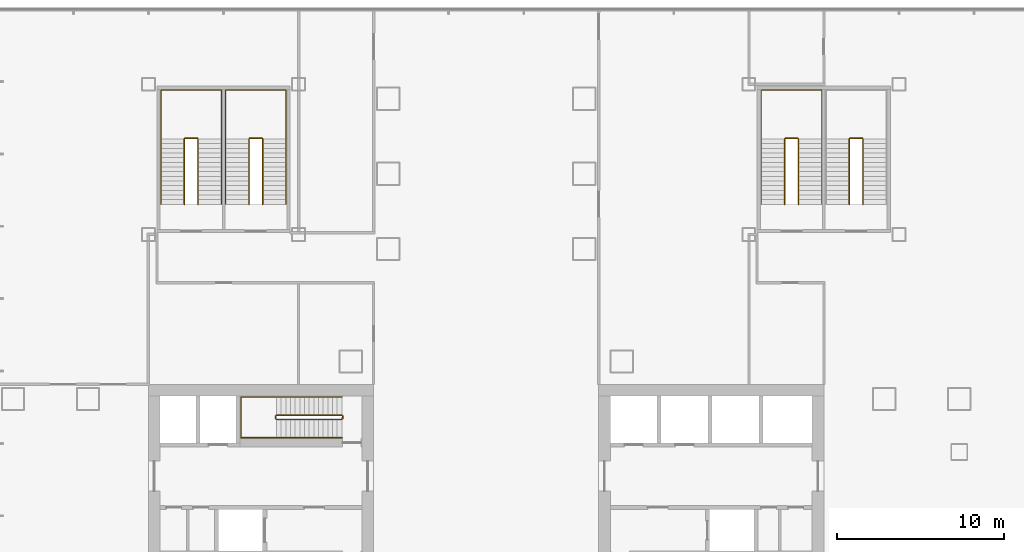
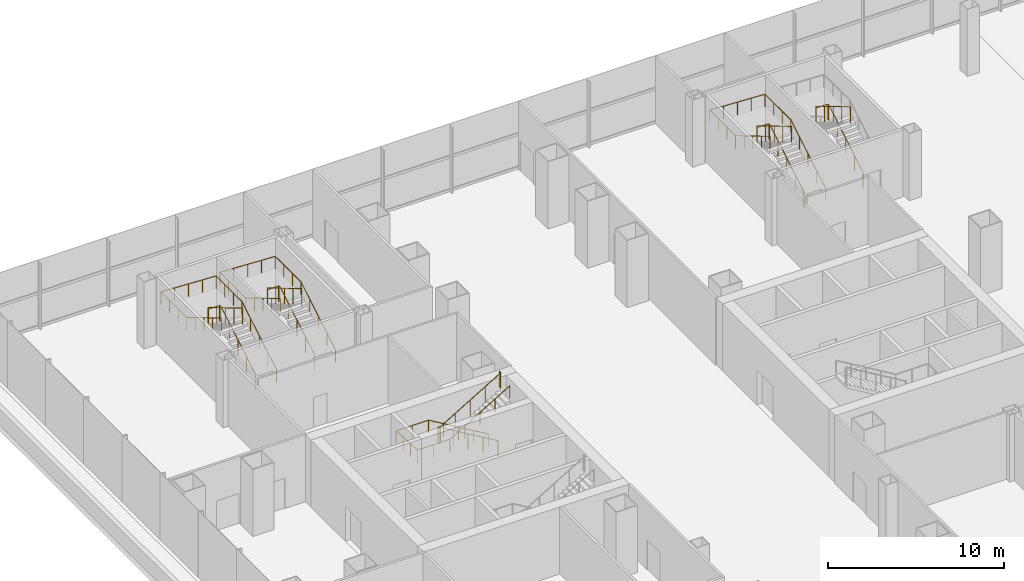
# One storey, part 27 of 30: 9 railings.
"""IFC4 building model written with IfcOpenShell, lengths in metres."""

from ifc_helpers import new_model, si_unit, direction, frame, origin, origin_2d, place, context, subcontext, project, spatial, circle, extrude, material, type_object, element, save


model = new_model("IFC4")

# Units and contexts
model_context = context("Model", 3, precision=1e-05, world=origin(), true_north=direction((0.0, 1.0)))
body_context = subcontext(model_context, "Body", "Model", "MODEL_VIEW")
ifc_project = project(units=[si_unit("LENGTHUNIT", "METRE"), si_unit("AREAUNIT", "SQUARE_METRE"), si_unit("VOLUMEUNIT", "CUBIC_METRE"), si_unit("PLANEANGLEUNIT", "RADIAN"), si_unit("MASSUNIT", "GRAM", prefix="KILO")], contexts=[model_context])

# Site, building, storey
site_placement = place(None, origin())
site = spatial("IfcSite", under=ifc_project, at=site_placement, CompositionType="ELEMENT")
building_placement = place(site_placement, origin())
building = spatial("IfcBuilding", under=site, at=building_placement, Name="Shamsa Quay Exchange Towers", CompositionType="ELEMENT")
storey_placement = place(building_placement, frame((0.0, 0.0, 23.5)))
storey = spatial("IfcBuildingStorey", under=building, at=storey_placement, Name="L04", CompositionType="ELEMENT", Elevation=23.5)

# Railings
ifc_material = material(Name="Stainless steel", Category="steel")
railing_type_1 = type_object("IfcRailingType", Name="STAIR GUARD 1100", PredefinedType="GUARDRAIL", material=ifc_material)
railing_1_placement = place(storey_placement, frame((-42.39990234375, 4.89990234375, 0.166748046875)))
element("IfcRailing", 1, at=railing_1_placement, inside=storey, type_object=railing_type_1, Name="L04 ST3 stair guard 1", PredefinedType="GUARDRAIL", context=body_context, shape_type="SweptSolid", body=[
    extrude(circle(Radius=0.02392578125, at=origin_2d()), frame((0.0, 0.0, 1.076171875), z_axis=(-0.859310244771, 0.0, 0.511454693235), x_axis=(0.0, -1.0, 0.0)), (0.0, 0.0, 1.0), 4.56201171875),
    extrude(circle(Radius=0.02392578125, at=origin_2d()), frame((-3.920166015625, 0.0, 3.4091796875), z_axis=(-0.708833529934, -0.705375805398, 0.0), x_axis=(0.705375805398, -0.708833529934, 0.0)), (0.0, 0.0, 1.0), 0.070556640625),
    extrude(circle(Radius=0.02392578125, at=origin_2d()), frame((-3.97021484375, -0.0498046875, 3.4091796875), z_axis=(0.0, -1.0, 0.0), x_axis=(1.0, 0.0, 0.0)), (0.0, 0.0, 1.0), 0.150146484375),
    extrude(circle(Radius=0.02392578125, at=origin_2d()), frame((-3.97021484375, -0.199951171875, 3.4091796875), z_axis=(0.27628659633, -0.27628659633, 0.920506074601), x_axis=(0.707106781187, 0.707106781187, 0.0)), (0.0, 0.0, 1.0), 0.18115234375),
    extrude(circle(Radius=0.02392578125, at=origin_2d()), frame((-3.920166015625, -0.25, 3.576171875), z_axis=(0.859310244771, 0.0, 0.511454693235), x_axis=(0.0, 1.0, 0.0)), (0.0, 0.0, 1.0), 4.56201171875),
    extrude(circle(Radius=0.02392578125, at=origin_2d()), frame((0.0, -0.25, 5.9091796875), z_axis=(0.24142163986, 0.970420317083, 0.0), x_axis=(-0.970420317083, 0.24142163986, 0.0)), (0.0, 0.0, 1.0), 0.206298828125),
    extrude(circle(Radius=0.02392578125, at=origin_2d()), frame((0.0498046875, -0.0498046875, 5.9091796875), z_axis=(0.0, -1.0, 0.0), x_axis=(1.0, 0.0, 0.0)), (0.0, 0.0, 1.0), 0.150146484375),
    extrude(circle(Radius=0.02099609375, at=origin_2d()), origin(), (0.0, 0.0, 1.0), 1.052001953125),
    extrude(circle(Radius=0.02099609375, at=origin_2d()), frame((-0.97998046875, 0.0, 0.583251953125)), (0.0, 0.0, 1.0), 1.052001953125),
    extrude(circle(Radius=0.02099609375, at=origin_2d()), frame((-1.9599609375, 0.0, 1.16650390625)), (0.0, 0.0, 1.0), 1.052001953125),
    extrude(circle(Radius=0.02099609375, at=origin_2d()), frame((-2.940185546875, 0.0, 1.75)), (0.0, 0.0, 1.0), 1.052001953125),
    extrude(circle(Radius=0.02099609375, at=origin_2d()), frame((-3.920166015625, 0.0, 2.333251953125)), (0.0, 0.0, 1.0), 1.052001953125),
    extrude(circle(Radius=0.02099609375, at=origin_2d()), frame((-3.97021484375, -0.0498046875, 2.333251953125)), (0.0, 0.0, 1.0), 1.052001953125),
    extrude(circle(Radius=0.02099609375, at=origin_2d()), frame((-3.97021484375, -0.199951171875, 2.333251953125)), (0.0, 0.0, 1.0), 1.052001953125),
    extrude(circle(Radius=0.02099609375, at=origin_2d()), frame((-3.920166015625, -0.25, 2.5)), (0.0, 0.0, 1.0), 1.052001953125),
    extrude(circle(Radius=0.02099609375, at=origin_2d()), frame((-2.940185546875, -0.25, 3.083251953125)), (0.0, 0.0, 1.0), 1.052001953125),
    extrude(circle(Radius=0.02099609375, at=origin_2d()), frame((-1.9599609375, -0.25, 3.66650390625)), (0.0, 0.0, 1.0), 1.052001953125),
    extrude(circle(Radius=0.02099609375, at=origin_2d()), frame((-0.97998046875, -0.25, 4.25)), (0.0, 0.0, 1.0), 1.052001953125),
    extrude(circle(Radius=0.02099609375, at=origin_2d()), frame((0.0, -0.25, 4.833251953125)), (0.0, 0.0, 1.0), 1.052001953125),
    extrude(circle(Radius=0.02099609375, at=origin_2d()), frame((0.0498046875, -0.0498046875, 4.833251953125)), (0.0, 0.0, 1.0), 1.052001953125),
    extrude(circle(Radius=0.02099609375, at=origin_2d()), frame((0.0498046875, -0.199951171875, 4.833251953125)), (0.0, 0.0, 1.0), 1.052001953125),
])
railing_2_placement = place(storey_placement, frame((-51.02490234375, 17.550048828125, 0.166748046875)))
element("IfcRailing", 2, at=railing_2_placement, inside=storey, type_object=railing_type_1, Name="L04 PS1A stair guard 1", PredefinedType="GUARDRAIL", context=body_context, shape_type="SweptSolid", body=[
    extrude(circle(Radius=0.02392578125, at=origin_2d()), frame((0.0, 0.0, 1.076171875), z_axis=(0.0, 0.859296244711, 0.511478214419), x_axis=(-1.0, 0.0, 0.0)), (0.0, 0.0, 1.0), 4.561767578125),
    extrude(circle(Radius=0.02392578125, at=origin_2d()), frame((0.0, 3.919921875, 3.4091796875), z_axis=(-0.707106781187, 0.707106781187, 0.0), x_axis=(-0.707106781187, -0.707106781187, 0.0)), (0.0, 0.0, 1.0), 0.07080078125),
    extrude(circle(Radius=0.02392578125, at=origin_2d()), frame((-0.050048828125, 3.969970703125, 3.4091796875), z_axis=(-1.0, 0.0, 0.0), x_axis=(0.0, -1.0, 0.0)), (0.0, 0.0, 1.0), 0.72509765625),
    extrude(circle(Radius=0.02392578125, at=origin_2d()), frame((-0.775146484375, 3.969970703125, 3.4091796875), z_axis=(-0.27628659633, -0.27628659633, 0.920506074601), x_axis=(0.707106781187, -0.707106781187, 0.0)), (0.0, 0.0, 1.0), 0.18115234375),
    extrude(circle(Radius=0.02392578125, at=origin_2d()), frame((-0.8251953125, 3.919921875, 3.576171875), z_axis=(0.0, -0.859296244711, 0.511478214419), x_axis=(1.0, 0.0, 0.0)), (0.0, 0.0, 1.0), 4.561767578125),
    extrude(circle(Radius=0.02099609375, at=origin_2d()), origin(), (0.0, 0.0, 1.0), 1.052001953125),
    extrude(circle(Radius=0.02099609375, at=origin_2d()), frame((0.0, 0.97998046875, 0.583251953125)), (0.0, 0.0, 1.0), 1.052001953125),
    extrude(circle(Radius=0.02099609375, at=origin_2d()), frame((0.0, 1.9599609375, 1.16650390625)), (0.0, 0.0, 1.0), 1.052001953125),
    extrude(circle(Radius=0.02099609375, at=origin_2d()), frame((0.0, 2.93994140625, 1.75)), (0.0, 0.0, 1.0), 1.052001953125),
    extrude(circle(Radius=0.02099609375, at=origin_2d()), frame((0.0, 3.919921875, 2.333251953125)), (0.0, 0.0, 1.0), 1.052001953125),
    extrude(circle(Radius=0.02099609375, at=origin_2d()), frame((-0.050048828125, 3.969970703125, 2.333251953125)), (0.0, 0.0, 1.0), 1.052001953125),
    extrude(circle(Radius=0.02099609375, at=origin_2d()), frame((-0.775146484375, 3.969970703125, 2.333251953125)), (0.0, 0.0, 1.0), 1.052001953125),
    extrude(circle(Radius=0.02099609375, at=origin_2d()), frame((-0.8251953125, 3.919921875, 2.5)), (0.0, 0.0, 1.0), 1.052001953125),
    extrude(circle(Radius=0.02099609375, at=origin_2d()), frame((-0.8251953125, 2.93994140625, 3.083251953125)), (0.0, 0.0, 1.0), 1.052001953125),
    extrude(circle(Radius=0.02099609375, at=origin_2d()), frame((-0.8251953125, 1.9599609375, 3.66650390625)), (0.0, 0.0, 1.0), 1.052001953125),
    extrude(circle(Radius=0.02099609375, at=origin_2d()), frame((-0.8251953125, 0.97998046875, 4.25)), (0.0, 0.0, 1.0), 1.052001953125),
    extrude(circle(Radius=0.02099609375, at=origin_2d()), frame((-0.8251953125, 0.0, 4.833251953125)), (0.0, 0.0, 1.0), 1.052001953125),
])
railing_3_placement = place(storey_placement, frame((-47.14990234375, 17.550048828125, 0.166748046875)))
element("IfcRailing", 3, at=railing_3_placement, inside=storey, type_object=railing_type_1, Name="L04 PS1B stair guard 1", PredefinedType="GUARDRAIL", context=body_context, shape_type="SweptSolid", body=[
    extrude(circle(Radius=0.02392578125, at=origin_2d()), frame((0.0, 0.0, 1.076171875), z_axis=(0.0, 0.859296244711, 0.511478214419), x_axis=(-1.0, 0.0, 0.0)), (0.0, 0.0, 1.0), 4.561767578125),
    extrude(circle(Radius=0.02392578125, at=origin_2d()), frame((0.0, 3.919921875, 3.4091796875), z_axis=(-0.707106781187, 0.707106781187, 0.0), x_axis=(-0.707106781187, -0.707106781187, 0.0)), (0.0, 0.0, 1.0), 0.07080078125),
    extrude(circle(Radius=0.02392578125, at=origin_2d()), frame((-0.050048828125, 3.969970703125, 3.4091796875), z_axis=(-1.0, 0.0, 0.0), x_axis=(0.0, -1.0, 0.0)), (0.0, 0.0, 1.0), 0.72509765625),
    extrude(circle(Radius=0.02392578125, at=origin_2d()), frame((-0.775146484375, 3.969970703125, 3.4091796875), z_axis=(-0.27628659633, -0.27628659633, 0.920506074601), x_axis=(0.707106781187, -0.707106781187, 0.0)), (0.0, 0.0, 1.0), 0.18115234375),
    extrude(circle(Radius=0.02392578125, at=origin_2d()), frame((-0.8251953125, 3.919921875, 3.576171875), z_axis=(0.0, -0.859296244711, 0.511478214419), x_axis=(1.0, 0.0, 0.0)), (0.0, 0.0, 1.0), 4.561767578125),
    extrude(circle(Radius=0.02099609375, at=origin_2d()), origin(), (0.0, 0.0, 1.0), 1.052001953125),
    extrude(circle(Radius=0.02099609375, at=origin_2d()), frame((0.0, 0.97998046875, 0.583251953125)), (0.0, 0.0, 1.0), 1.052001953125),
    extrude(circle(Radius=0.02099609375, at=origin_2d()), frame((0.0, 1.9599609375, 1.16650390625)), (0.0, 0.0, 1.0), 1.052001953125),
    extrude(circle(Radius=0.02099609375, at=origin_2d()), frame((0.0, 2.93994140625, 1.75)), (0.0, 0.0, 1.0), 1.052001953125),
    extrude(circle(Radius=0.02099609375, at=origin_2d()), frame((0.0, 3.919921875, 2.333251953125)), (0.0, 0.0, 1.0), 1.052001953125),
    extrude(circle(Radius=0.02099609375, at=origin_2d()), frame((-0.050048828125, 3.969970703125, 2.333251953125)), (0.0, 0.0, 1.0), 1.052001953125),
    extrude(circle(Radius=0.02099609375, at=origin_2d()), frame((-0.775146484375, 3.969970703125, 2.333251953125)), (0.0, 0.0, 1.0), 1.052001953125),
    extrude(circle(Radius=0.02099609375, at=origin_2d()), frame((-0.8251953125, 3.919921875, 2.5)), (0.0, 0.0, 1.0), 1.052001953125),
    extrude(circle(Radius=0.02099609375, at=origin_2d()), frame((-0.8251953125, 2.93994140625, 3.083251953125)), (0.0, 0.0, 1.0), 1.052001953125),
    extrude(circle(Radius=0.02099609375, at=origin_2d()), frame((-0.8251953125, 1.9599609375, 3.66650390625)), (0.0, 0.0, 1.0), 1.052001953125),
    extrude(circle(Radius=0.02099609375, at=origin_2d()), frame((-0.8251953125, 0.97998046875, 4.25)), (0.0, 0.0, 1.0), 1.052001953125),
    extrude(circle(Radius=0.02099609375, at=origin_2d()), frame((-0.8251953125, 0.0, 4.833251953125)), (0.0, 0.0, 1.0), 1.052001953125),
])
railing_4_placement = place(storey_placement, frame((-15.02490234375, 17.550048828125, 0.166748046875)))
element("IfcRailing", 4, at=railing_4_placement, inside=storey, type_object=railing_type_1, Name="L04 PS2A stair guard 1", PredefinedType="GUARDRAIL", context=body_context, shape_type="SweptSolid", body=[
    extrude(circle(Radius=0.02392578125, at=origin_2d()), frame((0.0, 0.0, 1.076171875), z_axis=(0.0, 0.859296244711, 0.511478214419), x_axis=(-1.0, 0.0, 0.0)), (0.0, 0.0, 1.0), 4.561767578125),
    extrude(circle(Radius=0.02392578125, at=origin_2d()), frame((0.0, 3.919921875, 3.4091796875), z_axis=(-0.707106781187, 0.707106781187, 0.0), x_axis=(-0.707106781187, -0.707106781187, 0.0)), (0.0, 0.0, 1.0), 0.07080078125),
    extrude(circle(Radius=0.02392578125, at=origin_2d()), frame((-0.050048828125, 3.969970703125, 3.4091796875), z_axis=(-1.0, 0.0, 0.0), x_axis=(0.0, -1.0, 0.0)), (0.0, 0.0, 1.0), 0.72509765625),
    extrude(circle(Radius=0.02392578125, at=origin_2d()), frame((-0.775146484375, 3.969970703125, 3.4091796875), z_axis=(-0.27628659633, -0.27628659633, 0.920506074601), x_axis=(0.707106781187, -0.707106781187, 0.0)), (0.0, 0.0, 1.0), 0.18115234375),
    extrude(circle(Radius=0.02392578125, at=origin_2d()), frame((-0.8251953125, 3.919921875, 3.576171875), z_axis=(0.0, -0.859296244711, 0.511478214419), x_axis=(1.0, 0.0, 0.0)), (0.0, 0.0, 1.0), 4.561767578125),
    extrude(circle(Radius=0.02099609375, at=origin_2d()), origin(), (0.0, 0.0, 1.0), 1.052001953125),
    extrude(circle(Radius=0.02099609375, at=origin_2d()), frame((0.0, 0.97998046875, 0.583251953125)), (0.0, 0.0, 1.0), 1.052001953125),
    extrude(circle(Radius=0.02099609375, at=origin_2d()), frame((0.0, 1.9599609375, 1.16650390625)), (0.0, 0.0, 1.0), 1.052001953125),
    extrude(circle(Radius=0.02099609375, at=origin_2d()), frame((0.0, 2.93994140625, 1.75)), (0.0, 0.0, 1.0), 1.052001953125),
    extrude(circle(Radius=0.02099609375, at=origin_2d()), frame((0.0, 3.919921875, 2.333251953125)), (0.0, 0.0, 1.0), 1.052001953125),
    extrude(circle(Radius=0.02099609375, at=origin_2d()), frame((-0.050048828125, 3.969970703125, 2.333251953125)), (0.0, 0.0, 1.0), 1.052001953125),
    extrude(circle(Radius=0.02099609375, at=origin_2d()), frame((-0.775146484375, 3.969970703125, 2.333251953125)), (0.0, 0.0, 1.0), 1.052001953125),
    extrude(circle(Radius=0.02099609375, at=origin_2d()), frame((-0.8251953125, 3.919921875, 2.5)), (0.0, 0.0, 1.0), 1.052001953125),
    extrude(circle(Radius=0.02099609375, at=origin_2d()), frame((-0.8251953125, 2.93994140625, 3.083251953125)), (0.0, 0.0, 1.0), 1.052001953125),
    extrude(circle(Radius=0.02099609375, at=origin_2d()), frame((-0.8251953125, 1.9599609375, 3.66650390625)), (0.0, 0.0, 1.0), 1.052001953125),
    extrude(circle(Radius=0.02099609375, at=origin_2d()), frame((-0.8251953125, 0.97998046875, 4.25)), (0.0, 0.0, 1.0), 1.052001953125),
    extrude(circle(Radius=0.02099609375, at=origin_2d()), frame((-0.8251953125, 0.0, 4.833251953125)), (0.0, 0.0, 1.0), 1.052001953125),
])
railing_5_placement = place(storey_placement, frame((-11.14990234375, 17.550048828125, 0.166748046875)))
element("IfcRailing", 5, at=railing_5_placement, inside=storey, type_object=railing_type_1, Name="L04 PS2B stair guard 1", PredefinedType="GUARDRAIL", context=body_context, shape_type="SweptSolid", body=[
    extrude(circle(Radius=0.02392578125, at=origin_2d()), frame((0.0, 0.0, 1.076171875), z_axis=(0.0, 0.859296244711, 0.511478214419), x_axis=(-1.0, 0.0, 0.0)), (0.0, 0.0, 1.0), 4.561767578125),
    extrude(circle(Radius=0.02392578125, at=origin_2d()), frame((0.0, 3.919921875, 3.4091796875), z_axis=(-0.707106781187, 0.707106781187, 0.0), x_axis=(-0.707106781187, -0.707106781187, 0.0)), (0.0, 0.0, 1.0), 0.07080078125),
    extrude(circle(Radius=0.02392578125, at=origin_2d()), frame((-0.050048828125, 3.969970703125, 3.4091796875), z_axis=(-1.0, 0.0, 0.0), x_axis=(0.0, -1.0, 0.0)), (0.0, 0.0, 1.0), 0.72509765625),
    extrude(circle(Radius=0.02392578125, at=origin_2d()), frame((-0.775146484375, 3.969970703125, 3.4091796875), z_axis=(-0.27628659633, -0.27628659633, 0.920506074601), x_axis=(0.707106781187, -0.707106781187, 0.0)), (0.0, 0.0, 1.0), 0.18115234375),
    extrude(circle(Radius=0.02392578125, at=origin_2d()), frame((-0.8251953125, 3.919921875, 3.576171875), z_axis=(0.0, -0.859296244711, 0.511478214419), x_axis=(1.0, 0.0, 0.0)), (0.0, 0.0, 1.0), 4.561767578125),
    extrude(circle(Radius=0.02099609375, at=origin_2d()), origin(), (0.0, 0.0, 1.0), 1.052001953125),
    extrude(circle(Radius=0.02099609375, at=origin_2d()), frame((0.0, 0.97998046875, 0.583251953125)), (0.0, 0.0, 1.0), 1.052001953125),
    extrude(circle(Radius=0.02099609375, at=origin_2d()), frame((0.0, 1.9599609375, 1.16650390625)), (0.0, 0.0, 1.0), 1.052001953125),
    extrude(circle(Radius=0.02099609375, at=origin_2d()), frame((0.0, 2.93994140625, 1.75)), (0.0, 0.0, 1.0), 1.052001953125),
    extrude(circle(Radius=0.02099609375, at=origin_2d()), frame((0.0, 3.919921875, 2.333251953125)), (0.0, 0.0, 1.0), 1.052001953125),
    extrude(circle(Radius=0.02099609375, at=origin_2d()), frame((-0.050048828125, 3.969970703125, 2.333251953125)), (0.0, 0.0, 1.0), 1.052001953125),
    extrude(circle(Radius=0.02099609375, at=origin_2d()), frame((-0.775146484375, 3.969970703125, 2.333251953125)), (0.0, 0.0, 1.0), 1.052001953125),
    extrude(circle(Radius=0.02099609375, at=origin_2d()), frame((-0.8251953125, 3.919921875, 2.5)), (0.0, 0.0, 1.0), 1.052001953125),
    extrude(circle(Radius=0.02099609375, at=origin_2d()), frame((-0.8251953125, 2.93994140625, 3.083251953125)), (0.0, 0.0, 1.0), 1.052001953125),
    extrude(circle(Radius=0.02099609375, at=origin_2d()), frame((-0.8251953125, 1.9599609375, 3.66650390625)), (0.0, 0.0, 1.0), 1.052001953125),
    extrude(circle(Radius=0.02099609375, at=origin_2d()), frame((-0.8251953125, 0.97998046875, 4.25)), (0.0, 0.0, 1.0), 1.052001953125),
    extrude(circle(Radius=0.02099609375, at=origin_2d()), frame((-0.8251953125, 0.0, 4.833251953125)), (0.0, 0.0, 1.0), 1.052001953125),
])
railing_type_2 = type_object("IfcRailingType", Name="STAIR HANDRAIL 900", PredefinedType="HANDRAIL", material=ifc_material)
railing_6_placement = place(storey_placement, frame((-42.39990234375, 6.0, 0.166748046875)))
element("IfcRailing", 6, at=railing_6_placement, inside=storey, type_object=railing_type_2, Name="L04 ST3 stair handrail 1", PredefinedType="HANDRAIL", context=body_context, shape_type="SweptSolid", body=[
    extrude(circle(Radius=0.02392578125, at=origin_2d()), frame((0.0, 0.0, 0.8759765625), z_axis=(-0.859310244771, 0.0, 0.511454693235), x_axis=(0.0, -1.0, 0.0)), (0.0, 0.0, 1.0), 4.56201171875),
    extrude(circle(Radius=0.02392578125, at=origin_2d()), frame((-3.920166015625, 0.0, 3.208984375), z_axis=(-1.0, 0.0, 0.0), x_axis=(0.0, -1.0, 0.0)), (0.0, 0.0, 1.0), 2.1298828125),
    extrude(circle(Radius=0.02392578125, at=origin_2d()), frame((-6.050048828125, 0.0, 3.208984375), z_axis=(0.0, -0.997691813052, 0.067904684436), x_axis=(1.0, 0.0, 0.0)), (0.0, 0.0, 1.0), 2.45556640625),
    extrude(circle(Radius=0.02392578125, at=origin_2d()), frame((-6.050048828125, -2.449951171875, 3.3759765625), z_axis=(1.0, 0.0, 0.0), x_axis=(0.0, 1.0, 0.0)), (0.0, 0.0, 1.0), 2.1298828125),
    extrude(circle(Radius=0.02392578125, at=origin_2d()), frame((-3.920166015625, -2.449951171875, 3.3759765625), z_axis=(0.859310244771, 0.0, 0.511454693235), x_axis=(0.0, 1.0, 0.0)), (0.0, 0.0, 1.0), 4.56201171875),
    extrude(circle(Radius=0.02099609375, at=origin_2d()), origin(), (0.0, 0.0, 1.0), 0.851806640625),
    extrude(circle(Radius=0.02099609375, at=origin_2d()), frame((-0.97998046875, 0.0, 0.583251953125)), (0.0, 0.0, 1.0), 0.851806640625),
    extrude(circle(Radius=0.02099609375, at=origin_2d()), frame((-1.9599609375, 0.0, 1.16650390625)), (0.0, 0.0, 1.0), 0.851806640625),
    extrude(circle(Radius=0.02099609375, at=origin_2d()), frame((-2.940185546875, 0.0, 1.75)), (0.0, 0.0, 1.0), 0.851806640625),
    extrude(circle(Radius=0.02099609375, at=origin_2d()), frame((-3.920166015625, 0.0, 2.333251953125)), (0.0, 0.0, 1.0), 0.851806640625),
    extrude(circle(Radius=0.02099609375, at=origin_2d()), frame((-4.985107421875, 0.0, 2.333251953125)), (0.0, 0.0, 1.0), 0.851806640625),
    extrude(circle(Radius=0.02099609375, at=origin_2d()), frame((-6.050048828125, 0.0, 2.333251953125)), (0.0, 0.0, 1.0), 0.851806640625),
    extrude(circle(Radius=0.02099609375, at=origin_2d()), frame((-6.050048828125, -0.816650390625, 2.388916015625)), (0.0, 0.0, 1.0), 0.851806640625),
    extrude(circle(Radius=0.02099609375, at=origin_2d()), frame((-6.050048828125, -1.63330078125, 2.4443359375)), (0.0, 0.0, 1.0), 0.851806640625),
    extrude(circle(Radius=0.02099609375, at=origin_2d()), frame((-6.050048828125, -2.449951171875, 2.5)), (0.0, 0.0, 1.0), 0.851806640625),
    extrude(circle(Radius=0.02099609375, at=origin_2d()), frame((-4.985107421875, -2.449951171875, 2.5)), (0.0, 0.0, 1.0), 0.851806640625),
    extrude(circle(Radius=0.02099609375, at=origin_2d()), frame((-3.920166015625, -2.449951171875, 2.5)), (0.0, 0.0, 1.0), 0.851806640625),
    extrude(circle(Radius=0.02099609375, at=origin_2d()), frame((-2.940185546875, -2.449951171875, 3.083251953125)), (0.0, 0.0, 1.0), 0.851806640625),
    extrude(circle(Radius=0.02099609375, at=origin_2d()), frame((-1.9599609375, -2.449951171875, 3.66650390625)), (0.0, 0.0, 1.0), 0.851806640625),
    extrude(circle(Radius=0.02099609375, at=origin_2d()), frame((-0.97998046875, -2.449951171875, 4.25)), (0.0, 0.0, 1.0), 0.851806640625),
    extrude(circle(Radius=0.02099609375, at=origin_2d()), frame((0.0, -2.449951171875, 4.833251953125)), (0.0, 0.0, 1.0), 0.851806640625),
])
railing_7_placement = place(storey_placement, frame((-49.625, 17.550048828125, 0.166748046875)))
element("IfcRailing", 7, at=railing_7_placement, inside=storey, type_object=railing_type_2, Name="L04 PS1A stair handrail 1", PredefinedType="HANDRAIL", context=body_context, shape_type="SweptSolid", body=[
    extrude(circle(Radius=0.02392578125, at=origin_2d()), frame((0.0, 0.0, 0.8759765625), z_axis=(0.0, 0.859296244711, 0.511478214419), x_axis=(-1.0, 0.0, 0.0)), (0.0, 0.0, 1.0), 4.561767578125),
    extrude(circle(Radius=0.02392578125, at=origin_2d()), frame((0.0, 3.919921875, 3.208984375), z_axis=(0.0, 1.0, 0.0), x_axis=(-1.0, 0.0, 0.0)), (0.0, 0.0, 1.0), 2.929931640625),
    extrude(circle(Radius=0.02392578125, at=origin_2d()), frame((0.0, 6.849853515625, 3.208984375), z_axis=(-0.998943700797, 0.0, 0.045950872013), x_axis=(0.0, -1.0, 0.0)), (0.0, 0.0, 1.0), 3.62890625),
    extrude(circle(Radius=0.02392578125, at=origin_2d()), frame((-3.625, 6.849853515625, 3.3759765625), z_axis=(0.0, -1.0, 0.0), x_axis=(1.0, 0.0, 0.0)), (0.0, 0.0, 1.0), 2.929931640625),
    extrude(circle(Radius=0.02392578125, at=origin_2d()), frame((-3.625, 3.919921875, 3.3759765625), z_axis=(0.0, -0.859296244711, 0.511478214419), x_axis=(1.0, 0.0, 0.0)), (0.0, 0.0, 1.0), 4.561767578125),
    extrude(circle(Radius=0.02099609375, at=origin_2d()), origin(), (0.0, 0.0, 1.0), 0.851806640625),
    extrude(circle(Radius=0.02099609375, at=origin_2d()), frame((0.0, 0.97998046875, 0.583251953125)), (0.0, 0.0, 1.0), 0.851806640625),
    extrude(circle(Radius=0.02099609375, at=origin_2d()), frame((0.0, 1.9599609375, 1.16650390625)), (0.0, 0.0, 1.0), 0.851806640625),
    extrude(circle(Radius=0.02099609375, at=origin_2d()), frame((0.0, 2.93994140625, 1.75)), (0.0, 0.0, 1.0), 0.851806640625),
    extrude(circle(Radius=0.02099609375, at=origin_2d()), frame((0.0, 3.919921875, 2.333251953125)), (0.0, 0.0, 1.0), 0.851806640625),
    extrude(circle(Radius=0.02099609375, at=origin_2d()), frame((0.0, 4.896484375, 2.333251953125)), (0.0, 0.0, 1.0), 0.851806640625),
    extrude(circle(Radius=0.02099609375, at=origin_2d()), frame((0.0, 5.873291015625, 2.333251953125)), (0.0, 0.0, 1.0), 0.851806640625),
    extrude(circle(Radius=0.02099609375, at=origin_2d()), frame((0.0, 6.849853515625, 2.333251953125)), (0.0, 0.0, 1.0), 0.851806640625),
    extrude(circle(Radius=0.02099609375, at=origin_2d()), frame((-0.90625, 6.849853515625, 2.375)), (0.0, 0.0, 1.0), 0.851806640625),
    extrude(circle(Radius=0.02099609375, at=origin_2d()), frame((-1.8125, 6.849853515625, 2.41650390625)), (0.0, 0.0, 1.0), 0.851806640625),
    extrude(circle(Radius=0.02099609375, at=origin_2d()), frame((-2.71875, 6.849853515625, 2.458251953125)), (0.0, 0.0, 1.0), 0.851806640625),
    extrude(circle(Radius=0.02099609375, at=origin_2d()), frame((-3.625, 6.849853515625, 2.5)), (0.0, 0.0, 1.0), 0.851806640625),
    extrude(circle(Radius=0.02099609375, at=origin_2d()), frame((-3.625, 5.873291015625, 2.5)), (0.0, 0.0, 1.0), 0.851806640625),
    extrude(circle(Radius=0.02099609375, at=origin_2d()), frame((-3.625, 4.896484375, 2.5)), (0.0, 0.0, 1.0), 0.851806640625),
    extrude(circle(Radius=0.02099609375, at=origin_2d()), frame((-3.625, 3.919921875, 2.5)), (0.0, 0.0, 1.0), 0.851806640625),
    extrude(circle(Radius=0.02099609375, at=origin_2d()), frame((-3.625, 2.93994140625, 3.083251953125)), (0.0, 0.0, 1.0), 0.851806640625),
    extrude(circle(Radius=0.02099609375, at=origin_2d()), frame((-3.625, 1.9599609375, 3.66650390625)), (0.0, 0.0, 1.0), 0.851806640625),
    extrude(circle(Radius=0.02099609375, at=origin_2d()), frame((-3.625, 0.97998046875, 4.25)), (0.0, 0.0, 1.0), 0.851806640625),
    extrude(circle(Radius=0.02099609375, at=origin_2d()), frame((-3.625, 0.0, 4.833251953125)), (0.0, 0.0, 1.0), 0.851806640625),
])
railing_8_placement = place(storey_placement, frame((-45.75, 17.550048828125, 0.166748046875)))
element("IfcRailing", 8, at=railing_8_placement, inside=storey, type_object=railing_type_2, Name="L04 PS1B stair handrail 1", PredefinedType="HANDRAIL", context=body_context, shape_type="SweptSolid", body=[
    extrude(circle(Radius=0.02392578125, at=origin_2d()), frame((0.0, 0.0, 0.8759765625), z_axis=(0.0, 0.859296244711, 0.511478214419), x_axis=(-1.0, 0.0, 0.0)), (0.0, 0.0, 1.0), 4.561767578125),
    extrude(circle(Radius=0.02392578125, at=origin_2d()), frame((0.0, 3.919921875, 3.208984375), z_axis=(0.0, 1.0, 0.0), x_axis=(-1.0, 0.0, 0.0)), (0.0, 0.0, 1.0), 2.929931640625),
    extrude(circle(Radius=0.02392578125, at=origin_2d()), frame((0.0, 6.849853515625, 3.208984375), z_axis=(-0.998943700797, 0.0, 0.045950872013), x_axis=(0.0, -1.0, 0.0)), (0.0, 0.0, 1.0), 3.62890625),
    extrude(circle(Radius=0.02392578125, at=origin_2d()), frame((-3.625, 6.849853515625, 3.3759765625), z_axis=(0.0, -1.0, 0.0), x_axis=(1.0, 0.0, 0.0)), (0.0, 0.0, 1.0), 2.929931640625),
    extrude(circle(Radius=0.02392578125, at=origin_2d()), frame((-3.625, 3.919921875, 3.3759765625), z_axis=(0.0, -0.859296244711, 0.511478214419), x_axis=(1.0, 0.0, 0.0)), (0.0, 0.0, 1.0), 4.561767578125),
    extrude(circle(Radius=0.02099609375, at=origin_2d()), origin(), (0.0, 0.0, 1.0), 0.851806640625),
    extrude(circle(Radius=0.02099609375, at=origin_2d()), frame((0.0, 0.97998046875, 0.583251953125)), (0.0, 0.0, 1.0), 0.851806640625),
    extrude(circle(Radius=0.02099609375, at=origin_2d()), frame((0.0, 1.9599609375, 1.16650390625)), (0.0, 0.0, 1.0), 0.851806640625),
    extrude(circle(Radius=0.02099609375, at=origin_2d()), frame((0.0, 2.93994140625, 1.75)), (0.0, 0.0, 1.0), 0.851806640625),
    extrude(circle(Radius=0.02099609375, at=origin_2d()), frame((0.0, 3.919921875, 2.333251953125)), (0.0, 0.0, 1.0), 0.851806640625),
    extrude(circle(Radius=0.02099609375, at=origin_2d()), frame((0.0, 4.896484375, 2.333251953125)), (0.0, 0.0, 1.0), 0.851806640625),
    extrude(circle(Radius=0.02099609375, at=origin_2d()), frame((0.0, 5.873291015625, 2.333251953125)), (0.0, 0.0, 1.0), 0.851806640625),
    extrude(circle(Radius=0.02099609375, at=origin_2d()), frame((0.0, 6.849853515625, 2.333251953125)), (0.0, 0.0, 1.0), 0.851806640625),
    extrude(circle(Radius=0.02099609375, at=origin_2d()), frame((-0.90625, 6.849853515625, 2.375)), (0.0, 0.0, 1.0), 0.851806640625),
    extrude(circle(Radius=0.02099609375, at=origin_2d()), frame((-1.8125, 6.849853515625, 2.41650390625)), (0.0, 0.0, 1.0), 0.851806640625),
    extrude(circle(Radius=0.02099609375, at=origin_2d()), frame((-2.71875, 6.849853515625, 2.458251953125)), (0.0, 0.0, 1.0), 0.851806640625),
    extrude(circle(Radius=0.02099609375, at=origin_2d()), frame((-3.625, 6.849853515625, 2.5)), (0.0, 0.0, 1.0), 0.851806640625),
    extrude(circle(Radius=0.02099609375, at=origin_2d()), frame((-3.625, 5.873291015625, 2.5)), (0.0, 0.0, 1.0), 0.851806640625),
    extrude(circle(Radius=0.02099609375, at=origin_2d()), frame((-3.625, 4.896484375, 2.5)), (0.0, 0.0, 1.0), 0.851806640625),
    extrude(circle(Radius=0.02099609375, at=origin_2d()), frame((-3.625, 3.919921875, 2.5)), (0.0, 0.0, 1.0), 0.851806640625),
    extrude(circle(Radius=0.02099609375, at=origin_2d()), frame((-3.625, 2.93994140625, 3.083251953125)), (0.0, 0.0, 1.0), 0.851806640625),
    extrude(circle(Radius=0.02099609375, at=origin_2d()), frame((-3.625, 1.9599609375, 3.66650390625)), (0.0, 0.0, 1.0), 0.851806640625),
    extrude(circle(Radius=0.02099609375, at=origin_2d()), frame((-3.625, 0.97998046875, 4.25)), (0.0, 0.0, 1.0), 0.851806640625),
    extrude(circle(Radius=0.02099609375, at=origin_2d()), frame((-3.625, 0.0, 4.833251953125)), (0.0, 0.0, 1.0), 0.851806640625),
])
railing_9_placement = place(storey_placement, frame((-13.625, 17.550048828125, 0.166748046875)))
element("IfcRailing", 9, at=railing_9_placement, inside=storey, type_object=railing_type_2, Name="L04 PS2A stair handrail 1", PredefinedType="HANDRAIL", context=body_context, shape_type="SweptSolid", body=[
    extrude(circle(Radius=0.02392578125, at=origin_2d()), frame((0.0, 0.0, 0.8759765625), z_axis=(0.0, 0.859296244711, 0.511478214419), x_axis=(-1.0, 0.0, 0.0)), (0.0, 0.0, 1.0), 4.561767578125),
    extrude(circle(Radius=0.02392578125, at=origin_2d()), frame((0.0, 3.919921875, 3.208984375), z_axis=(0.0, 1.0, 0.0), x_axis=(-1.0, 0.0, 0.0)), (0.0, 0.0, 1.0), 2.929931640625),
    extrude(circle(Radius=0.02392578125, at=origin_2d()), frame((0.0, 6.849853515625, 3.208984375), z_axis=(-0.998943700797, 0.0, 0.045950872013), x_axis=(0.0, -1.0, 0.0)), (0.0, 0.0, 1.0), 3.62890625),
    extrude(circle(Radius=0.02392578125, at=origin_2d()), frame((-3.625, 6.849853515625, 3.3759765625), z_axis=(0.0, -1.0, 0.0), x_axis=(1.0, 0.0, 0.0)), (0.0, 0.0, 1.0), 2.929931640625),
    extrude(circle(Radius=0.02392578125, at=origin_2d()), frame((-3.625, 3.919921875, 3.3759765625), z_axis=(0.0, -0.859296244711, 0.511478214419), x_axis=(1.0, 0.0, 0.0)), (0.0, 0.0, 1.0), 4.561767578125),
    extrude(circle(Radius=0.02099609375, at=origin_2d()), origin(), (0.0, 0.0, 1.0), 0.851806640625),
    extrude(circle(Radius=0.02099609375, at=origin_2d()), frame((0.0, 0.97998046875, 0.583251953125)), (0.0, 0.0, 1.0), 0.851806640625),
    extrude(circle(Radius=0.02099609375, at=origin_2d()), frame((0.0, 1.9599609375, 1.16650390625)), (0.0, 0.0, 1.0), 0.851806640625),
    extrude(circle(Radius=0.02099609375, at=origin_2d()), frame((0.0, 2.93994140625, 1.75)), (0.0, 0.0, 1.0), 0.851806640625),
    extrude(circle(Radius=0.02099609375, at=origin_2d()), frame((0.0, 3.919921875, 2.333251953125)), (0.0, 0.0, 1.0), 0.851806640625),
    extrude(circle(Radius=0.02099609375, at=origin_2d()), frame((0.0, 4.896484375, 2.333251953125)), (0.0, 0.0, 1.0), 0.851806640625),
    extrude(circle(Radius=0.02099609375, at=origin_2d()), frame((0.0, 5.873291015625, 2.333251953125)), (0.0, 0.0, 1.0), 0.851806640625),
    extrude(circle(Radius=0.02099609375, at=origin_2d()), frame((0.0, 6.849853515625, 2.333251953125)), (0.0, 0.0, 1.0), 0.851806640625),
    extrude(circle(Radius=0.02099609375, at=origin_2d()), frame((-0.90625, 6.849853515625, 2.375)), (0.0, 0.0, 1.0), 0.851806640625),
    extrude(circle(Radius=0.02099609375, at=origin_2d()), frame((-1.8125, 6.849853515625, 2.41650390625)), (0.0, 0.0, 1.0), 0.851806640625),
    extrude(circle(Radius=0.02099609375, at=origin_2d()), frame((-2.71875, 6.849853515625, 2.458251953125)), (0.0, 0.0, 1.0), 0.851806640625),
    extrude(circle(Radius=0.02099609375, at=origin_2d()), frame((-3.625, 6.849853515625, 2.5)), (0.0, 0.0, 1.0), 0.851806640625),
    extrude(circle(Radius=0.02099609375, at=origin_2d()), frame((-3.625, 5.873291015625, 2.5)), (0.0, 0.0, 1.0), 0.851806640625),
    extrude(circle(Radius=0.02099609375, at=origin_2d()), frame((-3.625, 4.896484375, 2.5)), (0.0, 0.0, 1.0), 0.851806640625),
    extrude(circle(Radius=0.02099609375, at=origin_2d()), frame((-3.625, 3.919921875, 2.5)), (0.0, 0.0, 1.0), 0.851806640625),
    extrude(circle(Radius=0.02099609375, at=origin_2d()), frame((-3.625, 2.93994140625, 3.083251953125)), (0.0, 0.0, 1.0), 0.851806640625),
    extrude(circle(Radius=0.02099609375, at=origin_2d()), frame((-3.625, 1.9599609375, 3.66650390625)), (0.0, 0.0, 1.0), 0.851806640625),
    extrude(circle(Radius=0.02099609375, at=origin_2d()), frame((-3.625, 0.97998046875, 4.25)), (0.0, 0.0, 1.0), 0.851806640625),
    extrude(circle(Radius=0.02099609375, at=origin_2d()), frame((-3.625, 0.0, 4.833251953125)), (0.0, 0.0, 1.0), 0.851806640625),
])

save(model, "model.ifc")
